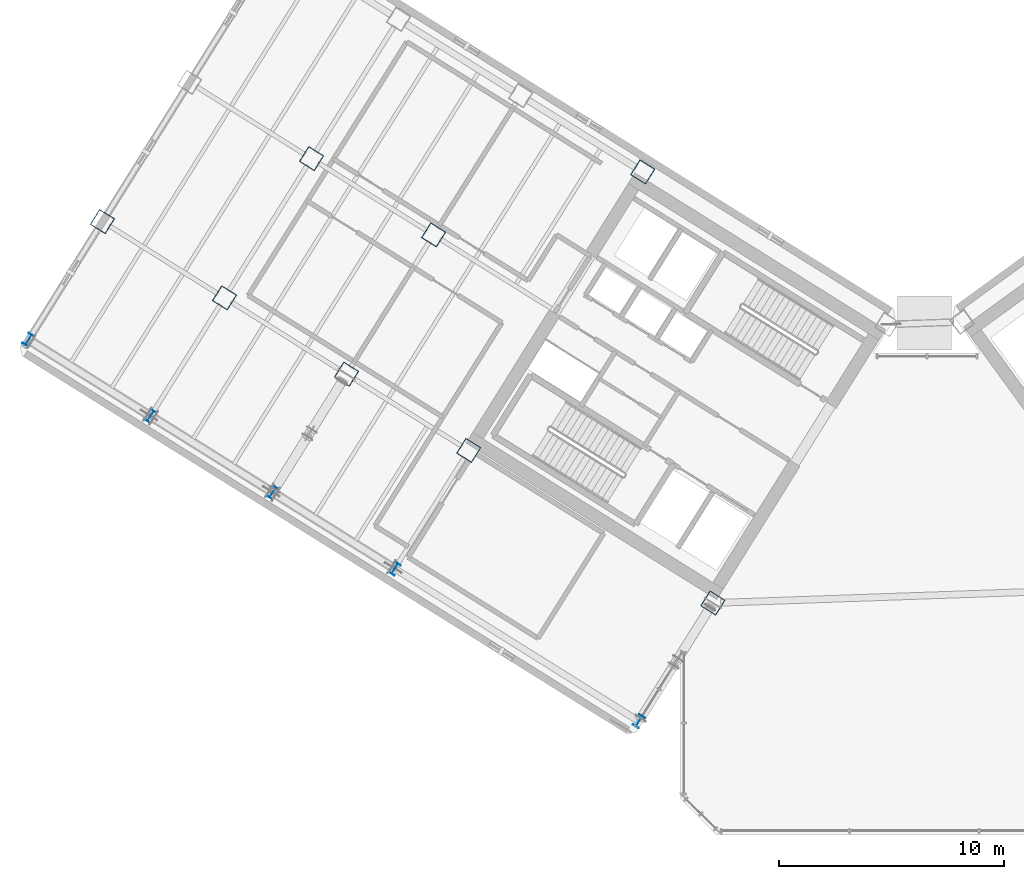
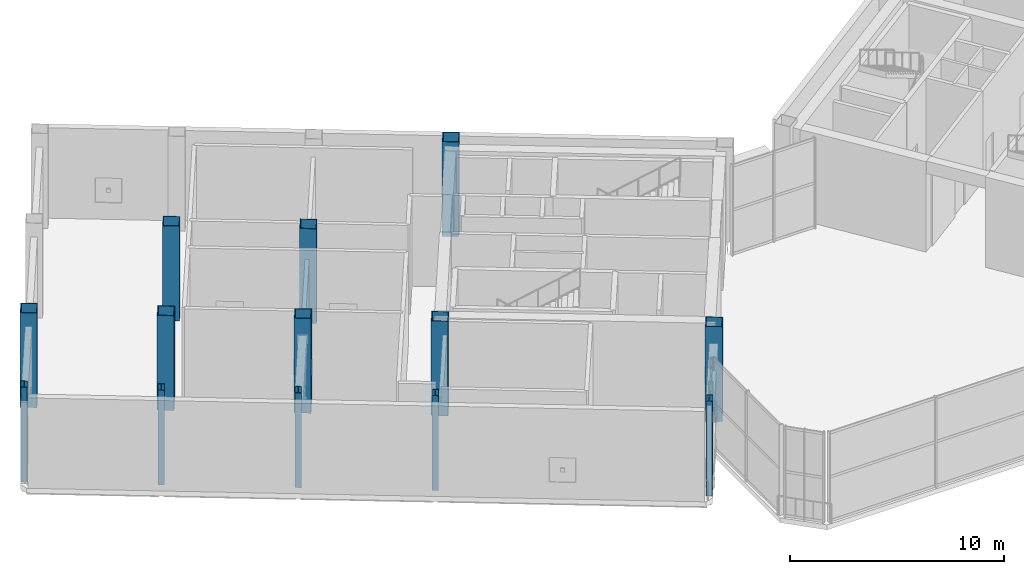
# One storey, part 1 of 30: 13 columns.
"""IFC4 building model written with IfcOpenShell, lengths in metres."""

from ifc_helpers import new_model, si_unit, direction, frame, origin, origin_2d, place, context, subcontext, project, spatial, hollow_rectangle, i_section, extrude, source, transform, mapped, material, material_profile, profile_set, type_object, element, save


model = new_model("IFC4")

# Units and contexts
model_context = context("Model", 3, precision=1e-05, world=origin(), true_north=direction((0.0, 1.0)))
body_context = subcontext(model_context, "Body", "Model", "MODEL_VIEW")
ifc_project = project(units=[si_unit("LENGTHUNIT", "METRE"), si_unit("AREAUNIT", "SQUARE_METRE"), si_unit("VOLUMEUNIT", "CUBIC_METRE"), si_unit("PLANEANGLEUNIT", "RADIAN"), si_unit("MASSUNIT", "GRAM", prefix="KILO")], contexts=[model_context])

# Site, building, storey
site_placement = place(None, origin())
site = spatial("IfcSite", under=ifc_project, at=site_placement, CompositionType="ELEMENT")
building_placement = place(site_placement, origin())
building = spatial("IfcBuilding", under=site, at=building_placement, Name="Tlacorven Tower", CompositionType="ELEMENT")
storey_placement = place(building_placement, frame((0.0, 0.0, 169.5)))
storey = spatial("IfcBuildingStorey", under=building, at=storey_placement, Name="L43", CompositionType="ELEMENT", Elevation=169.5)

# Columns
ifc_material = material(Name="Steel S460M", Category="steel")
ifc_material_profile_1 = material_profile(ifc_material, hollow_rectangle(XDim=0.800048828125, YDim=0.800048828125, WallThickness=0.031982421875, at=origin_2d()), Name="BOX 800X800X32")
ifc_profile_set_1 = profile_set([ifc_material_profile_1], Name="Steel S460M")
column_type_1 = type_object("IfcColumnType", Name="COL-TWR-S3", PredefinedType="COLUMN", material=ifc_profile_set_1)
shared_shape_1 = source(origin(), body_context, "Body", "SweptSolid", [
    extrude(hollow_rectangle(XDim=0.800048828125, YDim=0.800048828125, WallThickness=0.031982421875, at=origin_2d()), origin(), (0.0, 0.0, 1.0), 5.39990234375),
])
for number, where, z_axis, x_axis, name in (
    (1, (33.046142578125, 12.0869140625, 0.0), (0.0, 0.0, 1.0), (-0.848048096156, 0.529919264233, 0.0), "L43 column COL-L43-W1-3"),
    (2, (29.927978515625, 31.25146484375, 0.0), (0.0, 0.0, 1.0), (-0.848048096156, 0.529919264233, 0.0), "L43 column COL-L43-W3-1"),
    (3, (22.191162109375, 18.869873046875, 0.0), (0.0, 0.0, 1.0), (-0.848048096156, 0.529919264233, 0.0), "L43 column COL-L43-W3-3"),
    (4, (20.632080078125, 28.4521484375, 0.0), (0.0, 0.0, 1.0), (-0.848048096156, 0.529919264233, 0.0), "L43 column COL-L43-W4-2"),
    (5, (16.763671875, 22.26123046875, 0.0), (0.0, 0.0, 1.0), (-0.848048096156, 0.529919264233, 0.0), "L43 column COL-L43-W4-3"),
    (6, (15.20458984375, 31.843505859375, 0.0), (0.0, 0.0, 1.0), (-0.848048096156, 0.529919264233, 0.0), "L43 column COL-L43-W5-2"),
    (7, (11.336181640625, 25.65283203125, 0.0), (0.0, 0.0, 1.0), (-0.848048096156, 0.529919264233, 0.0), "L43 column COL-L43-W5-3"),
    (8, (5.90869140625, 29.044189453125, 0.0), (0.0, 0.0, 1.0), (-0.848048096156, 0.529919264233, 0.0), "L43 column COL-L43-W6-3"),
):
    element("IfcColumn", number, at=place(storey_placement, frame(where, z_axis=z_axis, x_axis=x_axis)), inside=storey, type_object=column_type_1, Name=name, PredefinedType="COLUMN", context=body_context, shape_type="MappedRepresentation", body=[
        mapped(shared_shape_1, transform((0.0, 0.0, 0.0), scale=1.0)),
    ])
ifc_material_profile_2 = material_profile(ifc_material, i_section(OverallWidth=0.300048828125, OverallDepth=0.550048828125, WebThickness=0.014892578125, FlangeThickness=0.029052734375, at=origin_2d()), Name="HEB 550")
ifc_profile_set_2 = profile_set([ifc_material_profile_2], Name="Steel S460M")
column_type_2 = type_object("IfcColumnType", Name="COL-TWR-P2", PredefinedType="COLUMN", material=ifc_profile_set_2)
shared_shape_2 = source(origin(), body_context, "Body", "SweptSolid", [
    extrude(i_section(OverallWidth=0.300048828125, OverallDepth=0.550048828125, WebThickness=0.014892578125, FlangeThickness=0.029052734375, at=origin_2d()), origin(), (0.0, 0.0, 1.0), 5.39990234375),
])
for number, where, z_axis, x_axis, name in (
    (9, (29.7607421875, 6.8291015625, 0.0), (0.0, 0.0, 1.0), (-0.848048096156, 0.529919264233, 0.0), "L43 column COL-L43-W1-4"),
    (10, (18.905517578125, 13.612060546875, 0.0), (0.0, 0.0, 1.0), (-0.848048096156, 0.529919264233, 0.0), "L43 column COL-L43-W3-4"),
    (11, (13.47802734375, 17.00341796875, 0.0), (0.0, 0.0, 1.0), (-0.848048096156, 0.529919264233, 0.0), "L43 column COL-L43-W4-4"),
    (12, (8.050537109375, 20.39501953125, 0.0), (0.0, 0.0, 1.0), (-0.848048096156, 0.529919264233, 0.0), "L43 column COL-L43-W5-4"),
    (13, (2.623046875, 23.786376953125, 0.0), (0.0, 0.0, 1.0), (-0.848048096156, 0.529919264233, 0.0), "L43 column COL-L43-W6-4"),
):
    element("IfcColumn", number, at=place(storey_placement, frame(where, z_axis=z_axis, x_axis=x_axis)), inside=storey, type_object=column_type_2, Name=name, PredefinedType="COLUMN", context=body_context, shape_type="MappedRepresentation", body=[
        mapped(shared_shape_2, transform((0.0, 0.0, 0.0), scale=1.0)),
    ])

save(model, "model.ifc")
